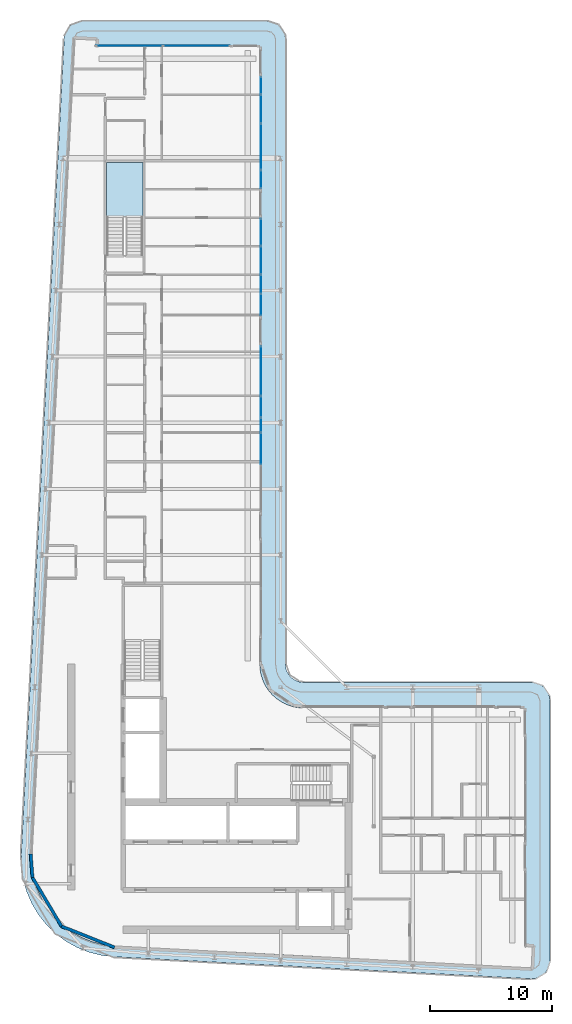
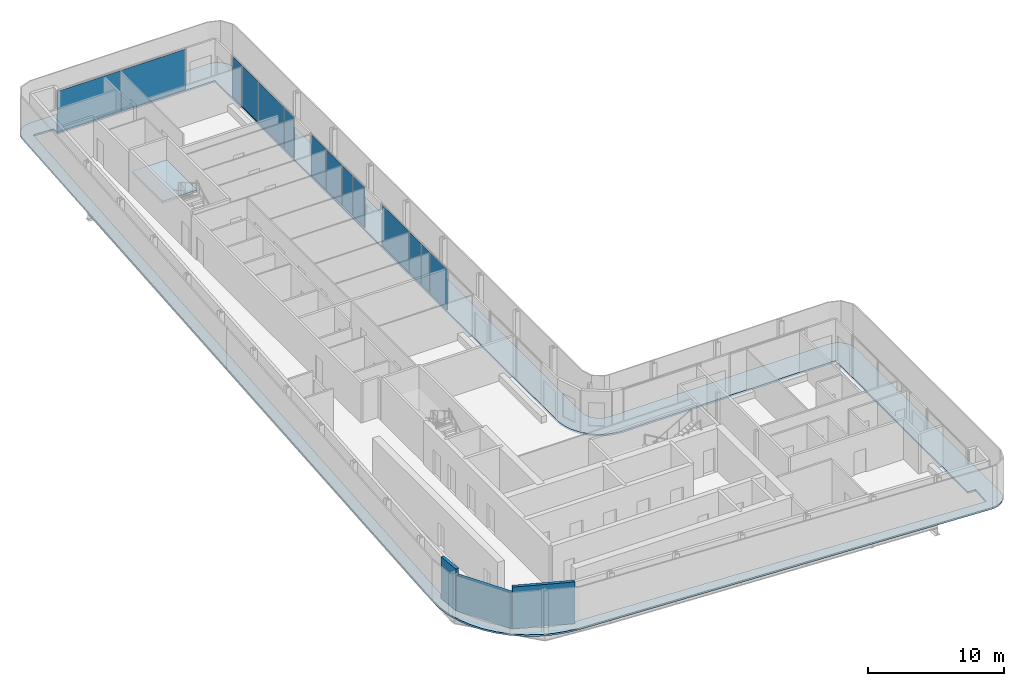
# One storey, part 10 of 21: 14 plates, 3 walls, 2 slabs, 8 elements without a shape of their own.
"""IFC4 building model written with IfcOpenShell, lengths in metres."""

from ifc_helpers import new_model, si_unit, direction, frame, frame_2d, origin, origin_2d, place, context, subcontext, project, spatial, polyline, rectangle, outline, extrude, material, layer, layer_set, type_object, element, aggregate, save


model = new_model("IFC4")

# Units and contexts
model_context = context("Model", 3, precision=1e-05, world=origin(), true_north=direction((0.0, 1.0)))
body_context = subcontext(model_context, "Body", "Model", "MODEL_VIEW")
ifc_project = project(units=[si_unit("LENGTHUNIT", "METRE"), si_unit("AREAUNIT", "SQUARE_METRE"), si_unit("VOLUMEUNIT", "CUBIC_METRE"), si_unit("PLANEANGLEUNIT", "RADIAN"), si_unit("MASSUNIT", "GRAM", prefix="KILO")], contexts=[model_context])

# Site, building, storey
site_placement = place(None, origin())
site = spatial("IfcSite", under=ifc_project, at=site_placement, CompositionType="ELEMENT")
building_placement = place(site_placement, origin())
building = spatial("IfcBuilding", under=site, at=building_placement, Name="Kheshtan School and Residences Tower", CompositionType="ELEMENT")
storey_placement = place(building_placement, frame((0.0, 0.0, 290.300048828125)))
storey = spatial("IfcBuildingStorey", under=building, at=storey_placement, Name="L68", CompositionType="ELEMENT", Elevation=290.300048828125)

# Curtain wall, plates
ifc_material_1 = material(Name="Clear low-e glass in thermally broken aluminium frame", Category="aluminium")
ifc_layer_1 = layer(ifc_material_1, 0.199951171875)
ifc_layer_set_1 = layer_set([ifc_layer_1], Name="Curtain wall CW-L")
curtain_wall_type = type_object("IfcCurtainWallType", Name="Curtain wall CW-L", PredefinedType="NOTDEFINED", material=ifc_layer_set_1)
curtain_wall_1_placement = place(storey_placement, origin())
curtain_wall_1 = element("IfcCurtainWall", 1, at=curtain_wall_1_placement, inside=storey, type_object=curtain_wall_type, Name="Curtain wall CWL7", PredefinedType="NOTDEFINED")
ifc_layer_2 = layer(ifc_material_1, 0.031982421875)
ifc_layer_set_2 = layer_set([ifc_layer_2], Name="CW-L glass panel")
plate_type = type_object("IfcPlateType", Name="CW-L glass panel", PredefinedType="CURTAIN_PANEL", material=ifc_layer_set_2)
plate_1_placement = place(storey_placement, frame((35.259033203125, 98.0, 0.0), z_axis=(0.0, 0.0, 1.0), x_axis=(1.0, 0.0, 0.0)))
plate_1 = element("IfcPlate", 2, at=plate_1_placement, type_object=plate_type, Name="CWL7 panel 1.1", PredefinedType="CURTAIN_PANEL", context=body_context, shape_type="SweptSolid", body=[
    extrude(rectangle(XDim=5.4140625, YDim=0.031982421875, at=origin_2d()), origin(), (0.0, 0.0, 1.0), 3.6298828125),
])
plate_2_placement = place(storey_placement, frame((40.73291015625, 98.0, 0.0), z_axis=(0.0, 0.0, 1.0), x_axis=(1.0, 0.0, 0.0)))
plate_2 = element("IfcPlate", 3, at=plate_2_placement, type_object=plate_type, Name="CWL7 panel 2.1", PredefinedType="CURTAIN_PANEL", context=body_context, shape_type="SweptSolid", body=[
    extrude(rectangle(XDim=5.4140625, YDim=0.031982421875, at=origin_2d()), origin(), (0.0, 0.0, 1.0), 3.6298828125),
])
aggregate(curtain_wall_1, [plate_1, plate_2])

curtain_wall_2_placement = place(storey_placement, origin())
curtain_wall_2 = element("IfcCurtainWall", 4, at=curtain_wall_2_placement, inside=storey, type_object=curtain_wall_type, Name="Curtain wall CWL8c", PredefinedType="NOTDEFINED")
plate_3_placement = place(storey_placement, frame((46.0, 94.735107421875, 0.0), z_axis=(0.0, 0.0, 1.0), x_axis=(0.0, -1.0, 0.0)))
plate_3 = element("IfcPlate", 5, at=plate_3_placement, type_object=plate_type, Name="CWL8c panel 1.1", PredefinedType="CURTAIN_PANEL", context=body_context, shape_type="SweptSolid", body=[
    extrude(rectangle(XDim=1.409912109375, YDim=0.031982421875, at=origin_2d()), origin(), (0.0, 0.0, 1.0), 3.6298828125),
])
plate_4_placement = place(storey_placement, frame((46.0, 92.826416015625, 0.0), z_axis=(0.0, 0.0, 1.0), x_axis=(0.0, -1.0, 0.0)))
plate_4 = element("IfcPlate", 6, at=plate_4_placement, type_object=plate_type, Name="CWL8c panel 2.1", PredefinedType="CURTAIN_PANEL", context=body_context, shape_type="SweptSolid", body=[
    extrude(rectangle(XDim=2.287109375, YDim=0.031982421875, at=origin_2d()), origin(), (0.0, 0.0, 1.0), 3.6298828125),
])
plate_5_placement = place(storey_placement, frame((46.0, 89.744384765625, 0.0), z_axis=(0.0, 0.0, 1.0), x_axis=(0.0, -1.0, 0.0)))
plate_5 = element("IfcPlate", 7, at=plate_5_placement, type_object=plate_type, Name="CWL8c panel 3.1", PredefinedType="CURTAIN_PANEL", context=body_context, shape_type="SweptSolid", body=[
    extrude(rectangle(XDim=3.757080078125, YDim=0.031982421875, at=origin_2d()), origin(), (0.0, 0.0, 1.0), 3.6298828125),
])
aggregate(curtain_wall_2, [plate_3, plate_4, plate_5])

# Curtain wall, plate
curtain_wall_3_placement = place(storey_placement, origin())
curtain_wall_3 = element("IfcCurtainWall", 8, at=curtain_wall_3_placement, inside=storey, type_object=curtain_wall_type, Name="Curtain wall CWL8a", PredefinedType="NOTDEFINED")
plate_6_placement = place(storey_placement, frame((46.0, 87.0859375, 0.0), z_axis=(0.0, 0.0, 1.0), x_axis=(0.0, -1.0, 0.0)))
plate_6 = element("IfcPlate", 9, at=plate_6_placement, type_object=plate_type, Name="CWL8a panel 1.1", PredefinedType="CURTAIN_PANEL", context=body_context, shape_type="SweptSolid", body=[
    extrude(rectangle(XDim=1.43994140625, YDim=0.031982421875, at=origin_2d()), origin(), (0.0, 0.0, 1.0), 3.6298828125),
])
aggregate(curtain_wall_3, [plate_6])

# Curtain wall, plates
curtain_wall_4_placement = place(storey_placement, origin())
curtain_wall_4 = element("IfcCurtainWall", 10, at=curtain_wall_4_placement, inside=storey, type_object=curtain_wall_type, Name="Curtain wall CWL8b", PredefinedType="NOTDEFINED")
plate_7_placement = place(storey_placement, frame((46.0, 82.75048828125, 0.0), z_axis=(0.0, 0.0, 1.0), x_axis=(0.0, -1.0, 0.0)))
plate_7 = element("IfcPlate", 11, at=plate_7_placement, type_object=plate_type, Name="CWL8b panel 1.1", PredefinedType="CURTAIN_PANEL", context=body_context, shape_type="SweptSolid", body=[
    extrude(rectangle(XDim=2.19091796875, YDim=0.031982421875, at=origin_2d()), origin(), (0.0, 0.0, 1.0), 3.6298828125),
])
plate_8_placement = place(storey_placement, frame((46.0, 80.46240234375, 0.0), z_axis=(0.0, 0.0, 1.0), x_axis=(0.0, -1.0, 0.0)))
plate_8 = element("IfcPlate", 12, at=plate_8_placement, type_object=plate_type, Name="CWL8b panel 2.1", PredefinedType="CURTAIN_PANEL", context=body_context, shape_type="SweptSolid", body=[
    extrude(rectangle(XDim=2.264892578125, YDim=0.031982421875, at=origin_2d()), origin(), (0.0, 0.0, 1.0), 3.6298828125),
])
plate_9_placement = place(storey_placement, frame((46.0, 78.52099609375, 0.0), z_axis=(0.0, 0.0, 1.0), x_axis=(0.0, -1.0, 0.0)))
plate_9 = element("IfcPlate", 13, at=plate_9_placement, type_object=plate_type, Name="CWL8b panel 3.1", PredefinedType="CURTAIN_PANEL", context=body_context, shape_type="SweptSolid", body=[
    extrude(rectangle(XDim=1.498046875, YDim=0.031982421875, at=origin_2d()), origin(), (0.0, 0.0, 1.0), 3.6298828125),
])
aggregate(curtain_wall_4, [plate_7, plate_8, plate_9])

# Curtain wall, plate
curtain_wall_5_placement = place(storey_placement, origin())
curtain_wall_5 = element("IfcCurtainWall", 14, at=curtain_wall_5_placement, inside=storey, type_object=curtain_wall_type, Name="Curtain wall CWL8e", PredefinedType="NOTDEFINED")
plate_10_placement = place(storey_placement, frame((46.0, 76.842041015625, 0.0), z_axis=(0.0, 0.0, 1.0), x_axis=(0.0, -1.0, 0.0)))
plate_10 = element("IfcPlate", 15, at=plate_10_placement, type_object=plate_type, Name="CWL8e panel 1.1", PredefinedType="CURTAIN_PANEL", context=body_context, shape_type="SweptSolid", body=[
    extrude(rectangle(XDim=1.739990234375, YDim=0.031982421875, at=origin_2d()), origin(), (0.0, 0.0, 1.0), 3.6298828125),
])
aggregate(curtain_wall_5, [plate_10])

# Curtain wall, plates
curtain_wall_6_placement = place(storey_placement, origin())
curtain_wall_6 = element("IfcCurtainWall", 16, at=curtain_wall_6_placement, inside=storey, type_object=curtain_wall_type, Name="Curtain wall CWL8m", PredefinedType="NOTDEFINED")
plate_11_placement = place(storey_placement, frame((46.0, 71.44091796875, 0.0), z_axis=(0.0, 0.0, 1.0), x_axis=(0.0, -1.0, 0.0)))
plate_11 = element("IfcPlate", 17, at=plate_11_placement, type_object=plate_type, Name="CWL8m panel 1.1", PredefinedType="CURTAIN_PANEL", context=body_context, shape_type="SweptSolid", body=[
    extrude(rectangle(XDim=4.02197265625, YDim=0.031982421875, at=origin_2d()), origin(), (0.0, 0.0, 1.0), 3.6298828125),
])
plate_12_placement = place(storey_placement, frame((46.0, 68.52392578125, 0.0), z_axis=(0.0, 0.0, 1.0), x_axis=(0.0, -1.0, 0.0)))
plate_12 = element("IfcPlate", 18, at=plate_12_placement, type_object=plate_type, Name="CWL8m panel 2.1", PredefinedType="CURTAIN_PANEL", context=body_context, shape_type="SweptSolid", body=[
    extrude(rectangle(XDim=1.69189453125, YDim=0.031982421875, at=origin_2d()), origin(), (0.0, 0.0, 1.0), 3.6298828125),
])
aggregate(curtain_wall_6, [plate_11, plate_12])

curtain_wall_7_placement = place(storey_placement, origin())
curtain_wall_7 = element("IfcCurtainWall", 19, at=curtain_wall_7_placement, inside=storey, type_object=curtain_wall_type, Name="Curtain wall CWL8c", PredefinedType="NOTDEFINED")
plate_13_placement = place(storey_placement, frame((46.0, 67.02392578125, 0.0), z_axis=(0.0, 0.0, 1.0), x_axis=(0.0, -1.0, 0.0)))
plate_13 = element("IfcPlate", 20, at=plate_13_placement, type_object=plate_type, Name="CWL8c panel 1.1", PredefinedType="CURTAIN_PANEL", context=body_context, shape_type="SweptSolid", body=[
    extrude(rectangle(XDim=1.18798828125, YDim=0.031982421875, at=origin_2d()), origin(), (0.0, 0.0, 1.0), 3.6298828125),
])
plate_14_placement = place(storey_placement, frame((46.0, 65.08544921875, 0.0), z_axis=(0.0, 0.0, 1.0), x_axis=(0.0, -1.0, 0.0)))
plate_14 = element("IfcPlate", 21, at=plate_14_placement, type_object=plate_type, Name="CWL8c panel 2.1", PredefinedType="CURTAIN_PANEL", context=body_context, shape_type="SweptSolid", body=[
    extrude(rectangle(XDim=2.569091796875, YDim=0.031982421875, at=origin_2d()), origin(), (0.0, 0.0, 1.0), 3.6298828125),
])
aggregate(curtain_wall_7, [plate_13, plate_14])

# Slab
ifc_material_2 = material(Name="Concrete C40/50", Category="concrete")
ifc_layer_3 = layer(ifc_material_2, 0.14990234375)
ifc_layer_set_3 = layer_set([ifc_layer_3], Name="Loggia balcony slab 150 Concrete C40/50")
slab_type_1 = type_object("IfcSlabType", Name="Loggia balcony slab 150 Concrete C40/50", PredefinedType="FLOOR", material=ifc_layer_set_3)
slab_1_placement = place(storey_placement, frame((0.0, 0.0, -0.150146484375)))
element("IfcSlab", 22, at=slab_1_placement, inside=storey, type_object=slab_type_1, Name="Loggia balcony slab L68", PredefinedType="FLOOR", context=body_context, shape_type="SweptSolid", body=[
    extrude(outline(polyline([(28.4580078125, 26.222900390625), (28.45703125, 26.222900390625), (28.45703125, 26.22412109375), (28.4560546875, 26.22412109375), (27.81494140625, 27.0390625), (27.281005859375, 27.93798828125), (26.867919921875, 28.89990234375), (26.583984375, 29.89990234375), (26.583984375, 29.906982421875), (26.43408203125, 30.943115234375), (26.419921875, 31.989013671875), (29.925048828125, 98.5791015625), (29.930908203125, 98.626953125), (29.930908203125, 98.6279296875), (29.929931640625, 98.6279296875), (29.929931640625, 98.62890625), (29.928955078125, 98.62890625), (29.928955078125, 98.6298828125), (29.927978515625, 98.6298828125), (29.927978515625, 98.631103515625), (29.927001953125, 98.631103515625), (29.927001953125, 98.632080078125), (29.927001953125, 98.633056640625), (29.945068359375, 98.781005859375), (29.945068359375, 98.783935546875), (29.945068359375, 98.784912109375), (29.946044921875, 98.784912109375), (29.946044921875, 98.785888671875), (29.947021484375, 98.785888671875), (29.947021484375, 98.787109375), (29.947998046875, 98.787109375), (29.948974609375, 98.787109375), (29.948974609375, 98.7880859375), (29.949951171875, 98.7880859375), (29.949951171875, 98.7890625), (29.949951171875, 98.791015625), (30.0029296875, 98.98388671875), (30.083984375, 99.175048828125), (30.18896484375, 99.35302734375), (30.31103515625, 99.507080078125), (30.31201171875, 99.507080078125), (30.31201171875, 99.508056640625), (30.31298828125, 99.508056640625), (30.31298828125, 99.509033203125), (30.31396484375, 99.509033203125), (30.31396484375, 99.510009765625), (30.31494140625, 99.510009765625), (30.31494140625, 99.510986328125), (30.31591796875, 99.510986328125), (30.31591796875, 99.511962890625), (30.31689453125, 99.511962890625), (30.31689453125, 99.512939453125), (30.318115234375, 99.512939453125), (30.320068359375, 99.512939453125), (30.321044921875, 99.512939453125), (30.321044921875, 99.513916015625), (30.468017578125, 99.656982421875), (30.468994140625, 99.656982421875), (30.468994140625, 99.657958984375), (30.469970703125, 99.657958984375), (30.469970703125, 99.658935546875), (30.470947265625, 99.658935546875), (30.470947265625, 99.659912109375), (30.471923828125, 99.659912109375), (30.471923828125, 99.660888671875), (30.472900390625, 99.660888671875), (30.472900390625, 99.662109375), (30.47412109375, 99.662109375), (30.47412109375, 99.6630859375), (30.47509765625, 99.6630859375), (30.47509765625, 99.6640625), (30.635986328125, 99.777099609375), (30.820068359375, 99.873046875), (31.007080078125, 99.943115234375), (31.013916015625, 99.943115234375), (31.217041015625, 99.986083984375), (31.423095703125, 100.0), (46.5, 100.0), (46.696044921875, 99.987060546875), (46.887939453125, 99.948974609375), (46.89501953125, 99.948974609375), (47.073974609375, 99.885986328125), (47.242919921875, 99.801025390625), (47.243896484375, 99.801025390625), (47.2470703125, 99.801025390625), (47.248046875, 99.801025390625), (47.248046875, 99.802001953125), (47.2490234375, 99.802001953125), (47.2490234375, 99.802978515625), (47.25, 99.802978515625), (47.2529296875, 99.802978515625), (47.25390625, 99.802978515625), (47.25390625, 99.802001953125), (47.2548828125, 99.802001953125), (47.2548828125, 99.801025390625), (47.256103515625, 99.801025390625), (47.256103515625, 99.800048828125), (47.257080078125, 99.800048828125), (47.257080078125, 99.799072265625), (47.258056640625, 99.799072265625), (47.258056640625, 99.798095703125), (47.412109375, 99.696044921875), (47.4130859375, 99.696044921875), (47.4130859375, 99.695068359375), (47.4140625, 99.695068359375), (47.4140625, 99.694091796875), (47.4140625, 99.68994140625), (47.4140625, 99.68896484375), (47.4150390625, 99.68896484375), (47.4150390625, 99.68798828125), (47.416015625, 99.68798828125), (47.416015625, 99.68701171875), (47.4169921875, 99.68701171875), (47.4169921875, 99.68603515625), (47.554931640625, 99.568115234375), (47.554931640625, 99.56689453125), (47.555908203125, 99.56689453125), (47.555908203125, 99.56591796875), (47.556884765625, 99.56591796875), (47.556884765625, 99.56494140625), (47.55810546875, 99.56494140625), (47.55810546875, 99.56396484375), (47.55908203125, 99.56396484375), (47.55908203125, 99.56298828125), (47.56005859375, 99.56298828125), (47.56005859375, 99.56201171875), (47.56103515625, 99.56201171875), (47.56201171875, 99.56103515625), (47.56201171875, 99.56005859375), (47.56298828125, 99.56005859375), (47.56298828125, 99.55908203125), (47.56396484375, 99.55908203125), (47.56396484375, 99.55810546875), (47.56494140625, 99.55810546875), (47.56494140625, 99.556884765625), (47.56591796875, 99.556884765625), (47.56591796875, 99.555908203125), (47.56689453125, 99.555908203125), (47.56689453125, 99.554931640625), (47.568115234375, 99.554931640625), (47.68505859375, 99.41796875), (47.68603515625, 99.41796875), (47.68603515625, 99.4169921875), (47.68701171875, 99.4169921875), (47.68701171875, 99.416015625), (47.68798828125, 99.416015625), (47.68798828125, 99.4150390625), (47.68896484375, 99.4150390625), (47.68896484375, 99.4140625), (47.68994140625, 99.4140625), (47.694091796875, 99.4140625), (47.695068359375, 99.4140625), (47.695068359375, 99.4130859375), (47.696044921875, 99.4130859375), (47.696044921875, 99.412109375), (47.797119140625, 99.259033203125), (47.798095703125, 99.259033203125), (47.798095703125, 99.258056640625), (47.799072265625, 99.258056640625), (47.799072265625, 99.257080078125), (47.800048828125, 99.257080078125), (47.800048828125, 99.256103515625), (47.801025390625, 99.256103515625), (47.801025390625, 99.2548828125), (47.802001953125, 99.2548828125), (47.802001953125, 99.25390625), (47.802978515625, 99.25390625), (47.802978515625, 99.2529296875), (47.802978515625, 99.25), (47.802978515625, 99.2490234375), (47.802001953125, 99.2490234375), (47.802001953125, 99.248046875), (47.801025390625, 99.248046875), (47.801025390625, 99.2470703125), (47.801025390625, 99.243896484375), (47.801025390625, 99.242919921875), (47.885986328125, 99.073974609375), (47.948974609375, 98.89501953125), (47.948974609375, 98.887939453125), (47.987060546875, 98.696044921875), (48.0, 98.5), (48.0, 47.5), (48.012939453125, 47.303955078125), (48.051025390625, 47.113037109375), (48.051025390625, 47.10693359375), (48.051025390625, 47.10595703125), (48.114013671875, 46.926025390625), (48.200927734375, 46.75), (48.31005859375, 46.5869140625), (48.431884765625, 46.444091796875), (48.43310546875, 46.444091796875), (48.43310546875, 46.443115234375), (48.43408203125, 46.443115234375), (48.43408203125, 46.44189453125), (48.43505859375, 46.44189453125), (48.43505859375, 46.44091796875), (48.43603515625, 46.44091796875), (48.43603515625, 46.43994140625), (48.43701171875, 46.43994140625), (48.43701171875, 46.43896484375), (48.43798828125, 46.43896484375), (48.43896484375, 46.43798828125), (48.43896484375, 46.43701171875), (48.43994140625, 46.43701171875), (48.43994140625, 46.43603515625), (48.44091796875, 46.43603515625), (48.44091796875, 46.43505859375), (48.44189453125, 46.43505859375), (48.44189453125, 46.43408203125), (48.443115234375, 46.43408203125), (48.443115234375, 46.43310546875), (48.444091796875, 46.43310546875), (48.444091796875, 46.431884765625), (48.5869140625, 46.31005859375), (48.75, 46.200927734375), (48.926025390625, 46.114013671875), (49.10595703125, 46.051025390625), (49.10693359375, 46.051025390625), (49.113037109375, 46.051025390625), (49.303955078125, 46.012939453125), (49.5, 46.0), (68.10009765625, 46.0), (68.2958984375, 45.987060546875), (68.488037109375, 45.948974609375), (68.4951171875, 45.948974609375), (68.674072265625, 45.885986328125), (68.842041015625, 45.801025390625), (68.843017578125, 45.801025390625), (68.846923828125, 45.801025390625), (68.847900390625, 45.801025390625), (68.847900390625, 45.802001953125), (68.84912109375, 45.802001953125), (68.84912109375, 45.802978515625), (68.85009765625, 45.802978515625), (68.85302734375, 45.802978515625), (68.85400390625, 45.802978515625), (68.85400390625, 45.802001953125), (68.85498046875, 45.802001953125), (68.85498046875, 45.801025390625), (68.85595703125, 45.801025390625), (68.85595703125, 45.800048828125), (68.85693359375, 45.800048828125), (68.85693359375, 45.799072265625), (68.85791015625, 45.799072265625), (68.85791015625, 45.798095703125), (68.85888671875, 45.798095703125), (68.85888671875, 45.797119140625), (68.860107421875, 45.797119140625), (68.860107421875, 45.7958984375), (69.011962890625, 45.696044921875), (69.012939453125, 45.696044921875), (69.012939453125, 45.695068359375), (69.013916015625, 45.695068359375), (69.013916015625, 45.694091796875), (69.013916015625, 45.68994140625), (69.013916015625, 45.68896484375), (69.014892578125, 45.68896484375), (69.014892578125, 45.68798828125), (69.01611328125, 45.68798828125), (69.01611328125, 45.68701171875), (69.01708984375, 45.68701171875), (69.01708984375, 45.68603515625), (69.01806640625, 45.68603515625), (69.01806640625, 45.68505859375), (69.01904296875, 45.68505859375), (69.01904296875, 45.68408203125), (69.155029296875, 45.568115234375), (69.155029296875, 45.56689453125), (69.156005859375, 45.56689453125), (69.156005859375, 45.56591796875), (69.156982421875, 45.56591796875), (69.156982421875, 45.56494140625), (69.157958984375, 45.56494140625), (69.157958984375, 45.56396484375), (69.158935546875, 45.56396484375), (69.158935546875, 45.56298828125), (69.159912109375, 45.56298828125), (69.159912109375, 45.56201171875), (69.160888671875, 45.56201171875), (69.162109375, 45.56103515625), (69.162109375, 45.56005859375), (69.1630859375, 45.56005859375), (69.1630859375, 45.55908203125), (69.1640625, 45.55908203125), (69.1640625, 45.55810546875), (69.1650390625, 45.55810546875), (69.1650390625, 45.556884765625), (69.166015625, 45.556884765625), (69.166015625, 45.555908203125), (69.1669921875, 45.555908203125), (69.1669921875, 45.554931640625), (69.16796875, 45.554931640625), (69.281982421875, 45.4208984375), (69.282958984375, 45.4208984375), (69.282958984375, 45.419921875), (69.283935546875, 45.419921875), (69.283935546875, 45.4189453125), (69.284912109375, 45.4189453125), (69.284912109375, 45.41796875), (69.285888671875, 45.41796875), (69.285888671875, 45.4169921875), (69.287109375, 45.4169921875), (69.287109375, 45.416015625), (69.2880859375, 45.416015625), (69.2880859375, 45.4150390625), (69.2890625, 45.4150390625), (69.2890625, 45.4140625), (69.2900390625, 45.4140625), (69.2939453125, 45.4140625), (69.294921875, 45.4140625), (69.294921875, 45.4130859375), (69.2958984375, 45.4130859375), (69.2958984375, 45.412109375), (69.39404296875, 45.261962890625), (69.39501953125, 45.261962890625), (69.39501953125, 45.260986328125), (69.39599609375, 45.260986328125), (69.39599609375, 45.260009765625), (69.39697265625, 45.260009765625), (69.39697265625, 45.259033203125), (69.39794921875, 45.259033203125), (69.39794921875, 45.258056640625), (69.39892578125, 45.258056640625), (69.39892578125, 45.257080078125), (69.39990234375, 45.257080078125), (69.39990234375, 45.256103515625), (69.40087890625, 45.256103515625), (69.40087890625, 45.2548828125), (69.402099609375, 45.2548828125), (69.402099609375, 45.25390625), (69.403076171875, 45.25390625), (69.403076171875, 45.2529296875), (69.403076171875, 45.25), (69.403076171875, 45.2490234375), (69.402099609375, 45.2490234375), (69.402099609375, 45.248046875), (69.40087890625, 45.248046875), (69.40087890625, 45.2470703125), (69.40087890625, 45.240966796875), (69.40087890625, 45.239990234375), (69.486083984375, 45.073974609375), (69.549072265625, 44.89501953125), (69.549072265625, 44.887939453125), (69.5869140625, 44.696044921875), (69.60009765625, 44.5), (69.60009765625, 23.285888671875), (69.5859375, 23.083984375), (69.544921875, 22.885009765625), (69.544921875, 22.8779296875), (69.47802734375, 22.694091796875), (69.385986328125, 22.513916015625), (69.27099609375, 22.347900390625), (69.27099609375, 22.346923828125), (69.27099609375, 22.345947265625), (69.27099609375, 22.344970703125), (69.27197265625, 22.344970703125), (69.27197265625, 22.343994140625), (69.27197265625, 22.342041015625), (69.27197265625, 22.341064453125), (69.27099609375, 22.341064453125), (69.27099609375, 22.340087890625), (69.137939453125, 22.197021484375), (69.135009765625, 22.194091796875), (69.134033203125, 22.194091796875), (69.134033203125, 22.193115234375), (69.133056640625, 22.193115234375), (69.131103515625, 22.193115234375), (69.1298828125, 22.193115234375), (69.1298828125, 22.194091796875), (69.12890625, 22.194091796875), (69.1279296875, 22.194091796875), (69.126953125, 22.194091796875), (68.97607421875, 22.069091796875), (68.803955078125, 21.9619140625), (68.618896484375, 21.87890625), (68.430908203125, 21.822021484375), (68.424072265625, 21.822021484375), (68.22412109375, 21.791015625), (68.02099609375, 21.7880859375), (33.989013671875, 23.580078125), (33.94189453125, 23.5859375), (33.94091796875, 23.5859375), (33.93994140625, 23.5859375), (33.93994140625, 23.5849609375), (33.93896484375, 23.5849609375), (33.93896484375, 23.583984375), (33.93798828125, 23.583984375), (33.93798828125, 23.5830078125), (33.93701171875, 23.5830078125), (33.93701171875, 23.58203125), (33.93603515625, 23.58203125), (33.93505859375, 23.58203125), (32.952880859375, 23.697998046875), (32.949951171875, 23.697998046875), (32.948974609375, 23.697998046875), (32.948974609375, 23.698974609375), (32.947998046875, 23.698974609375), (32.947998046875, 23.699951171875), (32.947021484375, 23.699951171875), (32.947021484375, 23.700927734375), (32.947021484375, 23.702880859375), (32.947021484375, 23.7041015625), (32.946044921875, 23.7041015625), (32.946044921875, 23.705078125), (32.945068359375, 23.705078125), (32.944091796875, 23.705078125), (31.93603515625, 23.9609375), (31.928955078125, 23.9609375), (30.964111328125, 24.34912109375), (30.051025390625, 24.860107421875), (29.218994140625, 25.47900390625), (29.218994140625, 25.47998046875), (29.218017578125, 25.47998046875), (29.218017578125, 25.48095703125), (29.217041015625, 25.48095703125), (29.217041015625, 25.48193359375), (29.216064453125, 25.48193359375), (29.216064453125, 25.48291015625), (29.215087890625, 25.48291015625), (29.215087890625, 25.48388671875), (29.214111328125, 25.48388671875), (29.214111328125, 25.485107421875), (29.212890625, 25.485107421875), (29.212890625, 25.486083984375), (29.2119140625, 25.486083984375), (28.466064453125, 26.217041015625), (28.466064453125, 26.218017578125), (28.465087890625, 26.218017578125), (28.462890625, 26.218017578125), (28.4619140625, 26.218017578125), (28.4619140625, 26.218994140625), (28.4609375, 26.218994140625), (28.4609375, 26.219970703125), (28.4599609375, 26.219970703125), (28.4599609375, 26.220947265625), (28.458984375, 26.220947265625), (28.458984375, 26.221923828125), (28.4580078125, 26.221923828125), (28.4580078125, 26.222900390625)]), holes=[polyline([(29.12890625, 26.824951171875), (29.12890625, 26.823974609375), (29.1298828125, 26.823974609375), (29.1298828125, 26.822998046875), (29.131103515625, 26.822998046875), (29.131103515625, 26.822021484375), (29.132080078125, 26.822021484375), (29.132080078125, 26.821044921875), (29.133056640625, 26.821044921875), (29.133056640625, 26.820068359375), (29.134033203125, 26.820068359375), (29.794921875, 26.173095703125), (29.794921875, 26.172119140625), (29.7958984375, 26.172119140625), (29.798095703125, 26.172119140625), (29.799072265625, 26.172119140625), (29.799072265625, 26.1708984375), (29.800048828125, 26.1708984375), (29.800048828125, 26.169921875), (29.801025390625, 26.169921875), (29.801025390625, 26.1689453125), (29.802001953125, 26.1689453125), (29.802001953125, 26.16796875), (29.802978515625, 26.16796875), (29.802978515625, 26.1669921875), (29.803955078125, 26.1669921875), (29.803955078125, 26.166015625), (30.541015625, 25.616943359375), (31.35205078125, 25.1630859375), (32.208984375, 24.819091796875), (32.2099609375, 24.819091796875), (32.216064453125, 24.819091796875), (33.114990234375, 24.590087890625), (34.06591796875, 24.47705078125), (68.0380859375, 22.68798828125), (68.06494140625, 22.68896484375), (68.06591796875, 22.68896484375), (68.06689453125, 22.68896484375), (68.06689453125, 22.68994140625), (68.068115234375, 22.68994140625), (68.068115234375, 22.69091796875), (68.068115234375, 22.69189453125), (68.157958984375, 24.381103515625), (68.157958984375, 24.382080078125), (68.157958984375, 24.383056640625), (68.156982421875, 24.383056640625), (68.156982421875, 24.384033203125), (68.156005859375, 24.384033203125), (68.155029296875, 24.384033203125), (67.5009765625, 24.4189453125), (67.5, 24.4189453125), (67.5, 24.419921875), (67.5, 43.89794921875), (67.5, 43.89892578125), (67.4990234375, 43.89892578125), (67.4990234375, 43.89990234375), (67.498046875, 43.89990234375), (49.429931640625, 43.89990234375), (49.030029296875, 43.927001953125), (48.569091796875, 44.01806640625), (48.56201171875, 44.01806640625), (48.1201171875, 44.169921875), (47.697021484375, 44.37890625), (47.30810546875, 44.638916015625), (46.95703125, 44.944091796875), (46.95703125, 44.945068359375), (46.9560546875, 44.945068359375), (46.9560546875, 44.946044921875), (46.955078125, 44.946044921875), (46.955078125, 44.947021484375), (46.9541015625, 44.947021484375), (46.9541015625, 44.947998046875), (46.952880859375, 44.947998046875), (46.952880859375, 44.948974609375), (46.951904296875, 44.948974609375), (46.951904296875, 44.949951171875), (46.951904296875, 44.950927734375), (46.950927734375, 44.950927734375), (46.950927734375, 44.951904296875), (46.949951171875, 44.951904296875), (46.948974609375, 44.951904296875), (46.948974609375, 44.952880859375), (46.947998046875, 44.952880859375), (46.947998046875, 44.9541015625), (46.947021484375, 44.9541015625), (46.947021484375, 44.955078125), (46.946044921875, 44.955078125), (46.946044921875, 44.9560546875), (46.945068359375, 44.9560546875), (46.945068359375, 44.95703125), (46.944091796875, 44.95703125), (46.638916015625, 45.30810546875), (46.37890625, 45.697021484375), (46.169921875, 46.1201171875), (46.01806640625, 46.56201171875), (46.01806640625, 46.569091796875), (45.927001953125, 47.030029296875), (45.89990234375, 47.429931640625), (45.89990234375, 97.89794921875), (45.89990234375, 97.89892578125), (45.89892578125, 97.89892578125), (45.89892578125, 97.89990234375), (45.89794921875, 97.89990234375), (32.492919921875, 97.89990234375), (32.491943359375, 97.89990234375), (32.52099609375, 98.43896484375), (32.52099609375, 98.43994140625), (32.52099609375, 98.44091796875), (32.52001953125, 98.44091796875), (32.52001953125, 98.44189453125), (32.51904296875, 98.44189453125), (32.51806640625, 98.44189453125), (30.8291015625, 98.531982421875), (30.827880859375, 98.531982421875), (30.826904296875, 98.531982421875), (30.826904296875, 98.531005859375), (30.825927734375, 98.531005859375), (30.825927734375, 98.530029296875), (30.825927734375, 98.529052734375), (30.822021484375, 98.5009765625), (27.320068359375, 31.970947265625), (27.3330078125, 31.013916015625), (27.466064453125, 30.093994140625), (27.466064453125, 30.087890625), (27.466064453125, 30.0869140625), (27.718017578125, 29.200927734375), (28.0849609375, 28.345947265625), (28.55908203125, 27.550048828125), (29.126953125, 26.825927734375), (29.1279296875, 26.825927734375), (29.1279296875, 26.824951171875), (29.12890625, 26.824951171875)])]), origin(), (0.0, 0.0, 1.0), 0.150146484375),
])

# Stair, slab
stair_type = type_object("IfcStairType", Name="Exit stair, half-turn", PredefinedType="HALF_TURN_STAIR", material=ifc_material_2)
stair_placement = place(storey_placement, origin())
stair = element("IfcStair", 23, at=stair_placement, inside=storey, type_object=stair_type, Name="L68 Protected Exit Stair ST3", PredefinedType="HALF_TURN_STAIR")
ifc_layer_4 = layer(ifc_material_2, 0.199951171875)
ifc_layer_set_4 = layer_set([ifc_layer_4], Name="Stair landing 200 Concrete C40/50")
slab_type_2 = type_object("IfcSlabType", Name="Stair landing 200 Concrete C40/50", PredefinedType="LANDING", material=ifc_layer_set_4)
slab_2_placement = place(storey_placement, frame((0.0, 0.0, 1.75)))
slab_2 = element("IfcSlab", 24, at=slab_2_placement, type_object=slab_type_2, Name="ST3 landing 1", PredefinedType="LANDING", context=body_context, shape_type="SweptSolid", body=[
    extrude(outline(polyline([(36.35009765625, 83.97998046875), (36.35009765625, 88.4599609375), (33.39990234375, 88.4599609375), (33.39990234375, 83.97998046875), (36.35009765625, 83.97998046875)])), origin(), (0.0, 0.0, 1.0), 0.199951171875),
])
aggregate(stair, [slab_2])

# Walls
ifc_material_3 = material(Name="Concrete C40/50 with ceramic cladding and mineral wool insulation", Category="concrete")
ifc_layer_5 = layer(ifc_material_3, 0.25)
ifc_layer_set_5 = layer_set([ifc_layer_5], Name="External wall 250 ceramic clad")
wall_type = type_object("IfcWallType", Name="External wall 250 ceramic clad", PredefinedType="SOLIDWALL", material=ifc_layer_set_5)
wall_1_placement = place(storey_placement, frame((34.0390625, 24.35302734375, 0.0), z_axis=(0.0, 0.0, 1.0), x_axis=(-0.929352825399, 0.369192803184, 0.0)))
element("IfcWall", 25, at=wall_1_placement, inside=storey, type_object=wall_type, Name="External wall L68 1", PredefinedType="SOLIDWALL", context=body_context, shape_type="SweptSolid", body=[
    extrude(rectangle(XDim=4.656005859375, YDim=0.25, at=frame_2d((2.328125, 0.0))), origin(), (0.0, 0.0, 1.0), 3.75),
])
wall_2_placement = place(storey_placement, frame((29.7119140625, 26.072021484375, 0.0), z_axis=(0.0, 0.0, 1.0), x_axis=(-0.511028049012, 0.859564036662, 0.0)))
element("IfcWall", 26, at=wall_2_placement, inside=storey, type_object=wall_type, Name="External wall L68 2", PredefinedType="SOLIDWALL", context=body_context, shape_type="SweptSolid", body=[
    extrude(rectangle(XDim=4.633544921875, YDim=0.25, at=frame_2d((2.31689453125, 0.0))), origin(), (0.0, 0.0, 1.0), 3.217041015625),
])
wall_3_placement = place(storey_placement, frame((27.343994140625, 30.054931640625, 0.0), z_axis=(0.0, 0.0, 1.0), x_axis=(-0.077571675317, 0.99698677784, 0.0)))
element("IfcWall", 27, at=wall_3_placement, inside=storey, type_object=wall_type, Name="External wall L68 3", PredefinedType="SOLIDWALL", context=body_context, shape_type="SweptSolid", body=[
    extrude(rectangle(XDim=1.919921875, YDim=0.25, at=frame_2d((0.9599609375, 0.0))), origin(), (0.0, 0.0, 1.0), 3.75),
])

save(model, "model.ifc")
